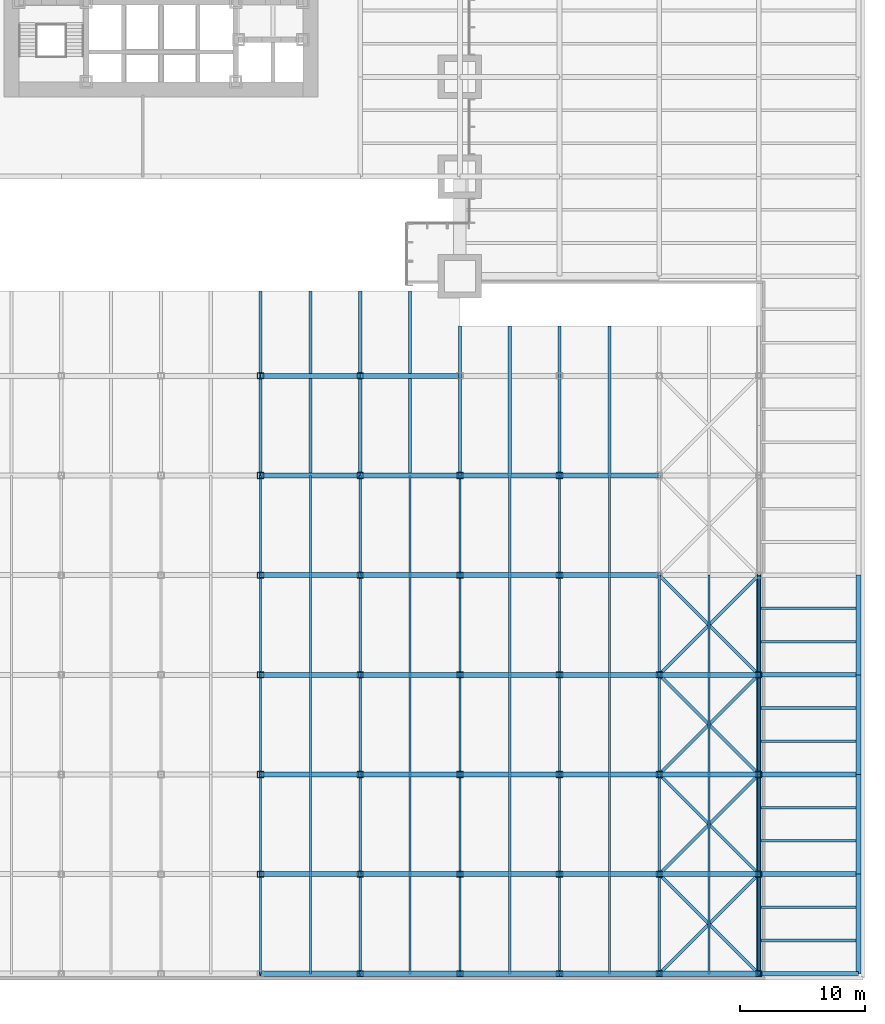
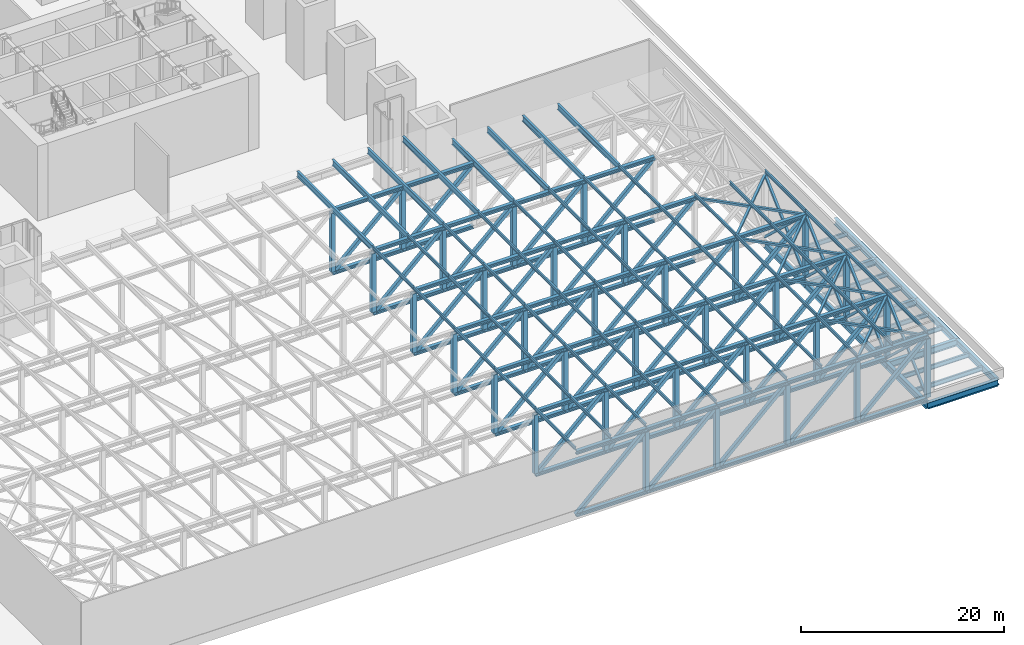
# One storey, part 5 of 20: 199 members, 20 beams.
"""IFC4 building model written with IfcOpenShell, lengths in metres."""

from ifc_helpers import new_model, si_unit, direction, frame, origin, origin_2d, place, context, subcontext, project, spatial, hollow_rectangle, i_section, extrude, material, material_profile, profile_set, type_object, element, save


model = new_model("IFC4")

# Units and contexts
model_context = context("Model", 3, precision=1e-05, world=origin(), true_north=direction((0.0, 1.0)))
body_context = subcontext(model_context, "Body", "Model", "MODEL_VIEW")
ifc_project = project(units=[si_unit("LENGTHUNIT", "METRE"), si_unit("AREAUNIT", "SQUARE_METRE"), si_unit("VOLUMEUNIT", "CUBIC_METRE"), si_unit("PLANEANGLEUNIT", "RADIAN"), si_unit("MASSUNIT", "GRAM", prefix="KILO")], contexts=[model_context])

# Site, building, storey
site_placement = place(None, origin())
site = spatial("IfcSite", under=ifc_project, at=site_placement, CompositionType="ELEMENT")
building_placement = place(site_placement, origin())
building = spatial("IfcBuilding", under=site, at=building_placement, Name="Daluyong Arena Tower", CompositionType="ELEMENT")
storey_placement = place(building_placement, frame((0.0, 0.0, 25.89990234375)))
storey = spatial("IfcBuildingStorey", under=building, at=storey_placement, Name="L05", CompositionType="ELEMENT", Elevation=25.89990234375)

# Beams
ifc_material_1 = material(Name="Steel ASTM A992 Grade 50", Category="steel")
ifc_material_profile_1 = material_profile(ifc_material_1, i_section(OverallWidth=0.209228515625, OverallDepth=0.533447265625, WebThickness=0.01025390625, FlangeThickness=0.015625, at=origin_2d()))
ifc_profile_set_1 = profile_set([ifc_material_profile_1], Name="Steel ASTM A992 Grade 50")
beam_type_1 = type_object("IfcBeamType", Name="Podium floor beam W21X62", PredefinedType="BEAM", material=ifc_profile_set_1)
for number, where, z_axis, x_axis, name in (
    (1, (104.1904296875, 2.666748046875, -0.5166015625), (1.0, 0.0, 0.0), (0.0, 1.0, 0.0), "podium floor beam PB1"),
    (2, (104.1904296875, 5.333251953125, -0.5166015625), (1.0, 0.0, 0.0), (0.0, 1.0, 0.0), "podium floor beam PB1"),
    (3, (104.1904296875, 10.666748046875, -0.5166015625), (1.0, 0.0, 0.0), (0.0, 1.0, 0.0), "podium floor beam PB1"),
    (4, (104.1904296875, 13.333251953125, -0.5166015625), (1.0, 0.0, 0.0), (0.0, 1.0, 0.0), "podium floor beam PB1"),
    (5, (104.1904296875, 18.666748046875, -0.5166015625), (1.0, 0.0, 0.0), (0.0, 1.0, 0.0), "podium floor beam PB1"),
    (6, (104.1904296875, 21.333251953125, -0.5166015625), (1.0, 0.0, 0.0), (0.0, 1.0, 0.0), "podium floor beam PB1"),
    (7, (104.1904296875, 26.666748046875, -0.5166015625), (1.0, 0.0, 0.0), (0.0, 1.0, 0.0), "podium floor beam PB1"),
    (8, (104.1904296875, 29.333251953125, -0.5166015625), (1.0, 0.0, 0.0), (0.0, 1.0, 0.0), "podium floor beam PB1"),
):
    element("IfcBeam", number, at=place(storey_placement, frame(where, z_axis=z_axis, x_axis=x_axis)), inside=storey, type_object=beam_type_1, Name=name, PredefinedType="BEAM", context=body_context, shape_type="SweptSolid", body=[
        extrude(i_section(OverallWidth=0.209228515625, OverallDepth=0.533447265625, WebThickness=0.01025390625, FlangeThickness=0.015625, at=origin_2d()), origin(), (0.0, 0.0, 1.0), 7.619140625),
    ])
ifc_material_2 = material(Name="Steel ASTM A992 Grade 50", Category="steel")
ifc_material_profile_2 = material_profile(ifc_material_2, i_section(OverallWidth=0.381103515625, OverallDepth=0.772216796875, WebThickness=0.0166015625, FlangeThickness=0.027099609375, at=origin_2d()))
ifc_profile_set_2 = profile_set([ifc_material_profile_2], Name="Steel ASTM A992 Grade 50")
beam_type_2 = type_object("IfcBeamType", Name="Podium girder W30X173", PredefinedType="BEAM", material=ifc_profile_set_2)
for number, where, z_axis, x_axis, name in (
    (9, (104.0, 0.0, -0.635986328125), (1.0, 0.0, 0.0), (0.0, 1.0, 0.0), "podium girder PG1"),
    (10, (104.0, 0.0, -0.635986328125), (0.0, 1.0, 0.0), (-1.0, 0.0, 0.0), "podium girder PG1"),
    (11, (104.0, 8.0, -0.635986328125), (1.0, 0.0, 0.0), (0.0, 1.0, 0.0), "podium girder PG1"),
    (12, (104.0, 8.0, -0.635986328125), (0.0, 1.0, 0.0), (-1.0, 0.0, 0.0), "podium girder PG1"),
    (13, (104.0, 16.0, -0.635986328125), (1.0, 0.0, 0.0), (0.0, 1.0, 0.0), "podium girder PG1"),
    (14, (104.0, 16.0, -0.635986328125), (0.0, 1.0, 0.0), (-1.0, 0.0, 0.0), "podium girder PG1"),
    (15, (104.0, 24.0, -0.635986328125), (1.0, 0.0, 0.0), (0.0, 1.0, 0.0), "podium girder PG1"),
    (16, (104.0, 24.0, -0.635986328125), (0.0, 1.0, 0.0), (-1.0, 0.0, 0.0), "podium girder PG1"),
    (17, (112.0, 0.0, -0.635986328125), (0.0, 1.0, 0.0), (-1.0, 0.0, 0.0), "podium girder PG1"),
    (18, (112.0, 8.0, -0.635986328125), (0.0, 1.0, 0.0), (-1.0, 0.0, 0.0), "podium girder PG1"),
    (19, (112.0, 16.0, -0.635986328125), (0.0, 1.0, 0.0), (-1.0, 0.0, 0.0), "podium girder PG1"),
    (20, (112.0, 24.0, -0.635986328125), (0.0, 1.0, 0.0), (-1.0, 0.0, 0.0), "podium girder PG1"),
):
    element("IfcBeam", number, at=place(storey_placement, frame(where, z_axis=z_axis, x_axis=x_axis)), inside=storey, type_object=beam_type_2, Name=name, PredefinedType="BEAM", context=body_context, shape_type="SweptSolid", body=[
        extrude(i_section(OverallWidth=0.381103515625, OverallDepth=0.772216796875, WebThickness=0.0166015625, FlangeThickness=0.027099609375, at=origin_2d()), origin(), (0.0, 0.0, 1.0), 8.0),
    ])

# Members
ifc_material_3 = material(Name="Steel ASTM A1085", Category="steel")
ifc_material_profile_3 = material_profile(ifc_material_3, hollow_rectangle(XDim=0.25390625, YDim=0.25390625, WallThickness=0.0126953125, at=origin_2d()))
ifc_profile_set_3 = profile_set([ifc_material_profile_3], Name="Steel ASTM A1085")
member_type_1 = type_object("IfcMemberType", Name="Roof plan bracing HSS10X10X1/2", PredefinedType="BRACE", material=ifc_profile_set_3)
for number, where, z_axis, x_axis, name in (
    (21, (96.0, 0.0, 7.71728515625), (0.707106781187, 0.707106781187, 0.0), (-0.707106781187, 0.707106781187, 0.0), "roof plan bracing RX2"),
    (22, (104.0, 0.0, 7.71728515625), (-0.707106781187, 0.707106781187, 0.0), (-0.707106781187, -0.707106781187, 0.0), "roof plan bracing RX2"),
    (23, (96.0, 8.0, 7.71728515625), (0.707106781187, 0.707106781187, 0.0), (-0.707106781187, 0.707106781187, 0.0), "roof plan bracing RX2"),
    (24, (104.0, 8.0, 7.71728515625), (-0.707106781187, 0.707106781187, 0.0), (-0.707106781187, -0.707106781187, 0.0), "roof plan bracing RX2"),
    (25, (96.0, 16.0, 7.71728515625), (0.707106781187, 0.707106781187, 0.0), (-0.707106781187, 0.707106781187, 0.0), "roof plan bracing RX2"),
    (26, (104.0, 16.0, 7.71728515625), (-0.707106781187, 0.707106781187, 0.0), (-0.707106781187, -0.707106781187, 0.0), "roof plan bracing RX2"),
    (27, (96.0, 24.0, 7.71728515625), (0.707106781187, 0.707106781187, 0.0), (-0.707106781187, 0.707106781187, 0.0), "roof plan bracing RX2"),
    (28, (104.0, 24.0, 7.71728515625), (-0.707106781187, 0.707106781187, 0.0), (-0.707106781187, -0.707106781187, 0.0), "roof plan bracing RX2"),
):
    element("IfcMember", number, at=place(storey_placement, frame(where, z_axis=z_axis, x_axis=x_axis)), inside=storey, type_object=member_type_1, Name=name, PredefinedType="BRACE", context=body_context, shape_type="SweptSolid", body=[
        extrude(hollow_rectangle(XDim=0.25390625, YDim=0.25390625, WallThickness=0.0126953125, at=origin_2d()), origin(), (0.0, 0.0, 1.0), 11.313720703125),
    ])
ifc_material_4 = material(Name="Steel ASTM A992 Grade 50", Category="steel")
ifc_material_profile_4 = material_profile(ifc_material_4, i_section(OverallWidth=0.177734375, OverallDepth=0.406494140625, WebThickness=0.0078125, FlangeThickness=0.012939453125, at=origin_2d()))
ifc_profile_set_4 = profile_set([ifc_material_profile_4], Name="Steel ASTM A992 Grade 50")
member_type_2 = type_object("IfcMemberType", Name="Roof purlin W16X40", PredefinedType="PURLIN", material=ifc_profile_set_4)
for number, where, z_axis, x_axis, name in (
    (29, (64.0, 0.0, 8.1376953125), (0.0, 1.0, 0.0), (-1.0, 0.0, 0.0), "roof purlin RP1"),
    (30, (68.0, 0.0, 8.1376953125), (0.0, 1.0, 0.0), (-1.0, 0.0, 0.0), "roof purlin RP1"),
    (31, (72.0, 0.0, 8.1376953125), (0.0, 1.0, 0.0), (-1.0, 0.0, 0.0), "roof purlin RP1"),
    (32, (76.0, 0.0, 8.1376953125), (0.0, 1.0, 0.0), (-1.0, 0.0, 0.0), "roof purlin RP1"),
    (33, (80.0, 0.0, 8.1376953125), (0.0, 1.0, 0.0), (-1.0, 0.0, 0.0), "roof purlin RP1"),
    (34, (84.0, 0.0, 8.1376953125), (0.0, 1.0, 0.0), (-1.0, 0.0, 0.0), "roof purlin RP1"),
    (35, (88.0, 0.0, 8.1376953125), (0.0, 1.0, 0.0), (-1.0, 0.0, 0.0), "roof purlin RP1"),
    (36, (92.0, 0.0, 8.1376953125), (0.0, 1.0, 0.0), (-1.0, 0.0, 0.0), "roof purlin RP1"),
    (37, (96.0, 0.0, 8.1376953125), (0.0, 1.0, 0.0), (-1.0, 0.0, 0.0), "roof purlin RP1"),
    (38, (100.0, 0.0, 8.1376953125), (0.0, 1.0, 0.0), (-1.0, 0.0, 0.0), "roof purlin RP1"),
    (39, (104.0, 0.0, 8.1376953125), (0.0, 1.0, 0.0), (-1.0, 0.0, 0.0), "roof purlin RP1"),
    (40, (64.0, 8.0, 8.1376953125), (0.0, 1.0, 0.0), (-1.0, 0.0, 0.0), "roof purlin RP1"),
    (41, (68.0, 8.0, 8.1376953125), (0.0, 1.0, 0.0), (-1.0, 0.0, 0.0), "roof purlin RP1"),
    (42, (72.0, 8.0, 8.1376953125), (0.0, 1.0, 0.0), (-1.0, 0.0, 0.0), "roof purlin RP1"),
    (43, (76.0, 8.0, 8.1376953125), (0.0, 1.0, 0.0), (-1.0, 0.0, 0.0), "roof purlin RP1"),
    (44, (80.0, 8.0, 8.1376953125), (0.0, 1.0, 0.0), (-1.0, 0.0, 0.0), "roof purlin RP1"),
    (45, (84.0, 8.0, 8.1376953125), (0.0, 1.0, 0.0), (-1.0, 0.0, 0.0), "roof purlin RP1"),
    (46, (88.0, 8.0, 8.1376953125), (0.0, 1.0, 0.0), (-1.0, 0.0, 0.0), "roof purlin RP1"),
    (47, (92.0, 8.0, 8.1376953125), (0.0, 1.0, 0.0), (-1.0, 0.0, 0.0), "roof purlin RP1"),
    (48, (96.0, 8.0, 8.1376953125), (0.0, 1.0, 0.0), (-1.0, 0.0, 0.0), "roof purlin RP1"),
    (49, (100.0, 8.0, 8.1376953125), (0.0, 1.0, 0.0), (-1.0, 0.0, 0.0), "roof purlin RP1"),
    (50, (104.0, 8.0, 8.1376953125), (0.0, 1.0, 0.0), (-1.0, 0.0, 0.0), "roof purlin RP1"),
    (51, (64.0, 16.0, 8.1376953125), (0.0, 1.0, 0.0), (-1.0, 0.0, 0.0), "roof purlin RP1"),
    (52, (68.0, 16.0, 8.1376953125), (0.0, 1.0, 0.0), (-1.0, 0.0, 0.0), "roof purlin RP1"),
    (53, (72.0, 16.0, 8.1376953125), (0.0, 1.0, 0.0), (-1.0, 0.0, 0.0), "roof purlin RP1"),
    (54, (76.0, 16.0, 8.1376953125), (0.0, 1.0, 0.0), (-1.0, 0.0, 0.0), "roof purlin RP1"),
    (55, (80.0, 16.0, 8.1376953125), (0.0, 1.0, 0.0), (-1.0, 0.0, 0.0), "roof purlin RP1"),
    (56, (84.0, 16.0, 8.1376953125), (0.0, 1.0, 0.0), (-1.0, 0.0, 0.0), "roof purlin RP1"),
    (57, (88.0, 16.0, 8.1376953125), (0.0, 1.0, 0.0), (-1.0, 0.0, 0.0), "roof purlin RP1"),
    (58, (92.0, 16.0, 8.1376953125), (0.0, 1.0, 0.0), (-1.0, 0.0, 0.0), "roof purlin RP1"),
    (59, (96.0, 16.0, 8.1376953125), (0.0, 1.0, 0.0), (-1.0, 0.0, 0.0), "roof purlin RP1"),
    (60, (100.0, 16.0, 8.1376953125), (0.0, 1.0, 0.0), (-1.0, 0.0, 0.0), "roof purlin RP1"),
    (61, (104.0, 16.0, 8.1376953125), (0.0, 1.0, 0.0), (-1.0, 0.0, 0.0), "roof purlin RP1"),
    (62, (64.0, 24.0, 8.1376953125), (0.0, 1.0, 0.0), (-1.0, 0.0, 0.0), "roof purlin RP1"),
    (63, (68.0, 24.0, 8.1376953125), (0.0, 1.0, 0.0), (-1.0, 0.0, 0.0), "roof purlin RP1"),
    (64, (72.0, 24.0, 8.1376953125), (0.0, 1.0, 0.0), (-1.0, 0.0, 0.0), "roof purlin RP1"),
    (65, (76.0, 24.0, 8.1376953125), (0.0, 1.0, 0.0), (-1.0, 0.0, 0.0), "roof purlin RP1"),
    (66, (80.0, 24.0, 8.1376953125), (0.0, 1.0, 0.0), (-1.0, 0.0, 0.0), "roof purlin RP1"),
    (67, (84.0, 24.0, 8.1376953125), (0.0, 1.0, 0.0), (-1.0, 0.0, 0.0), "roof purlin RP1"),
    (68, (88.0, 24.0, 8.1376953125), (0.0, 1.0, 0.0), (-1.0, 0.0, 0.0), "roof purlin RP1"),
    (69, (92.0, 24.0, 8.1376953125), (0.0, 1.0, 0.0), (-1.0, 0.0, 0.0), "roof purlin RP1"),
    (70, (96.0, 24.0, 8.1376953125), (0.0, 1.0, 0.0), (-1.0, 0.0, 0.0), "roof purlin RP1"),
    (71, (100.0, 24.0, 8.1376953125), (0.0, 1.0, 0.0), (-1.0, 0.0, 0.0), "roof purlin RP1"),
    (72, (104.0, 24.0, 8.1376953125), (0.0, 1.0, 0.0), (-1.0, 0.0, 0.0), "roof purlin RP1"),
    (73, (64.0, 32.0, 8.1376953125), (0.0, 1.0, 0.0), (-1.0, 0.0, 0.0), "roof purlin RP1"),
    (74, (68.0, 32.0, 8.1376953125), (0.0, 1.0, 0.0), (-1.0, 0.0, 0.0), "roof purlin RP1"),
    (75, (72.0, 32.0, 8.1376953125), (0.0, 1.0, 0.0), (-1.0, 0.0, 0.0), "roof purlin RP1"),
    (76, (76.0, 32.0, 8.1376953125), (0.0, 1.0, 0.0), (-1.0, 0.0, 0.0), "roof purlin RP1"),
    (77, (80.0, 32.0, 8.1376953125), (0.0, 1.0, 0.0), (-1.0, 0.0, 0.0), "roof purlin RP1"),
    (78, (84.0, 32.0, 8.1376953125), (0.0, 1.0, 0.0), (-1.0, 0.0, 0.0), "roof purlin RP1"),
    (79, (88.0, 32.0, 8.1376953125), (0.0, 1.0, 0.0), (-1.0, 0.0, 0.0), "roof purlin RP1"),
    (80, (92.0, 32.0, 8.1376953125), (0.0, 1.0, 0.0), (-1.0, 0.0, 0.0), "roof purlin RP1"),
):
    element("IfcMember", number, at=place(storey_placement, frame(where, z_axis=z_axis, x_axis=x_axis)), inside=storey, type_object=member_type_2, Name=name, PredefinedType="PURLIN", context=body_context, shape_type="SweptSolid", body=[
        extrude(i_section(OverallWidth=0.177734375, OverallDepth=0.406494140625, WebThickness=0.0078125, FlangeThickness=0.012939453125, at=origin_2d()), origin(), (0.0, 0.0, 1.0), 8.0),
    ])
ifc_material_5 = material(Name="Steel ASTM A992 Grade 50", Category="steel")
ifc_material_profile_5 = material_profile(ifc_material_5, i_section(OverallWidth=0.25390625, OverallDepth=0.683349609375, WebThickness=0.012451171875, FlangeThickness=0.01904296875, at=origin_2d()))
ifc_profile_set_5 = profile_set([ifc_material_profile_5], Name="Steel ASTM A992 Grade 50")
member_type_3 = type_object("IfcMemberType", Name="Roof purlin W27X94", PredefinedType="PURLIN", material=ifc_profile_set_5)
for number, where, z_axis, x_axis, name in (
    (81, (64.0, 40.0, 7.999267578125), (0.0, 1.0, 0.0), (-1.0, 0.0, 0.0), "roof purlin RP2"),
    (82, (68.0, 40.0, 7.999267578125), (0.0, 1.0, 0.0), (-1.0, 0.0, 0.0), "roof purlin RP2"),
    (83, (72.0, 40.0, 7.999267578125), (0.0, 1.0, 0.0), (-1.0, 0.0, 0.0), "roof purlin RP2"),
    (84, (76.0, 40.0, 7.999267578125), (0.0, 1.0, 0.0), (-1.0, 0.0, 0.0), "roof purlin RP2"),
):
    element("IfcMember", number, at=place(storey_placement, frame(where, z_axis=z_axis, x_axis=x_axis)), inside=storey, type_object=member_type_3, Name=name, PredefinedType="PURLIN", context=body_context, shape_type="SweptSolid", body=[
        extrude(i_section(OverallWidth=0.25390625, OverallDepth=0.683349609375, WebThickness=0.012451171875, FlangeThickness=0.01904296875, at=origin_2d()), origin(), (0.0, 0.0, 1.0), 14.800048828125),
    ])
for number, where, z_axis, x_axis, name in (
    (85, (80.0, 40.0, 7.999267578125), (0.0, 1.0, 0.0), (-1.0, 0.0, 0.0), "roof purlin RP2"),
    (86, (84.0, 40.0, 7.999267578125), (0.0, 1.0, 0.0), (-1.0, 0.0, 0.0), "roof purlin RP2"),
    (87, (88.0, 40.0, 7.999267578125), (0.0, 1.0, 0.0), (-1.0, 0.0, 0.0), "roof purlin RP2"),
    (88, (92.0, 40.0, 7.999267578125), (0.0, 1.0, 0.0), (-1.0, 0.0, 0.0), "roof purlin RP2"),
):
    element("IfcMember", number, at=place(storey_placement, frame(where, z_axis=z_axis, x_axis=x_axis)), inside=storey, type_object=member_type_3, Name=name, PredefinedType="PURLIN", context=body_context, shape_type="SweptSolid", body=[
        extrude(i_section(OverallWidth=0.25390625, OverallDepth=0.683349609375, WebThickness=0.012451171875, FlangeThickness=0.01904296875, at=origin_2d()), origin(), (0.0, 0.0, 1.0), 12.0),
    ])
ifc_material_6 = material(Name="Steel ASTM A992 Grade 50", Category="steel")
ifc_material_profile_6 = material_profile(ifc_material_6, i_section(OverallWidth=0.411376953125, OverallDepth=0.434326171875, WebThickness=0.035888671875, FlangeThickness=0.057373046875, at=origin_2d()))
ifc_profile_set_6 = profile_set([ifc_material_profile_6], Name="Steel ASTM A992 Grade 50")
member_type_4 = type_object("IfcMemberType", Name="Roof truss chord W14X311", PredefinedType="CHORD", material=ifc_profile_set_6)
for number, where, z_axis, x_axis, name in (
    (89, (64.0, 0.0, 0.21728515625), (1.0, 0.0, 0.0), (0.0, 1.0, 0.0), "roof truss chord RT1"),
    (90, (72.0, 0.0, 0.21728515625), (1.0, 0.0, 0.0), (0.0, 1.0, 0.0), "roof truss chord RT1"),
    (91, (80.0, 0.0, 0.21728515625), (1.0, 0.0, 0.0), (0.0, 1.0, 0.0), "roof truss chord RT1"),
    (92, (88.0, 0.0, 0.21728515625), (1.0, 0.0, 0.0), (0.0, 1.0, 0.0), "roof truss chord RT1"),
    (93, (96.0, 0.0, 0.21728515625), (1.0, 0.0, 0.0), (0.0, 1.0, 0.0), "roof truss chord RT1"),
    (94, (64.0, 0.0, 7.71728515625), (1.0, 0.0, 0.0), (0.0, 1.0, 0.0), "roof truss chord RT1"),
    (95, (72.0, 0.0, 7.71728515625), (1.0, 0.0, 0.0), (0.0, 1.0, 0.0), "roof truss chord RT1"),
    (96, (80.0, 0.0, 7.71728515625), (1.0, 0.0, 0.0), (0.0, 1.0, 0.0), "roof truss chord RT1"),
    (97, (88.0, 0.0, 7.71728515625), (1.0, 0.0, 0.0), (0.0, 1.0, 0.0), "roof truss chord RT1"),
    (98, (96.0, 0.0, 7.71728515625), (1.0, 0.0, 0.0), (0.0, 1.0, 0.0), "roof truss chord RT1"),
    (99, (64.0, 8.0, 0.21728515625), (1.0, 0.0, 0.0), (0.0, 1.0, 0.0), "roof truss chord RT1"),
    (100, (72.0, 8.0, 0.21728515625), (1.0, 0.0, 0.0), (0.0, 1.0, 0.0), "roof truss chord RT1"),
    (101, (80.0, 8.0, 0.21728515625), (1.0, 0.0, 0.0), (0.0, 1.0, 0.0), "roof truss chord RT1"),
    (102, (88.0, 8.0, 0.21728515625), (1.0, 0.0, 0.0), (0.0, 1.0, 0.0), "roof truss chord RT1"),
    (103, (96.0, 8.0, 0.21728515625), (1.0, 0.0, 0.0), (0.0, 1.0, 0.0), "roof truss chord RT1"),
    (104, (64.0, 8.0, 7.71728515625), (1.0, 0.0, 0.0), (0.0, 1.0, 0.0), "roof truss chord RT1"),
    (105, (72.0, 8.0, 7.71728515625), (1.0, 0.0, 0.0), (0.0, 1.0, 0.0), "roof truss chord RT1"),
    (106, (80.0, 8.0, 7.71728515625), (1.0, 0.0, 0.0), (0.0, 1.0, 0.0), "roof truss chord RT1"),
    (107, (88.0, 8.0, 7.71728515625), (1.0, 0.0, 0.0), (0.0, 1.0, 0.0), "roof truss chord RT1"),
    (108, (96.0, 8.0, 7.71728515625), (1.0, 0.0, 0.0), (0.0, 1.0, 0.0), "roof truss chord RT1"),
    (109, (64.0, 16.0, 0.21728515625), (1.0, 0.0, 0.0), (0.0, 1.0, 0.0), "roof truss chord RT1"),
    (110, (72.0, 16.0, 0.21728515625), (1.0, 0.0, 0.0), (0.0, 1.0, 0.0), "roof truss chord RT1"),
    (111, (80.0, 16.0, 0.21728515625), (1.0, 0.0, 0.0), (0.0, 1.0, 0.0), "roof truss chord RT1"),
    (112, (88.0, 16.0, 0.21728515625), (1.0, 0.0, 0.0), (0.0, 1.0, 0.0), "roof truss chord RT1"),
    (113, (96.0, 16.0, 0.21728515625), (1.0, 0.0, 0.0), (0.0, 1.0, 0.0), "roof truss chord RT1"),
    (114, (64.0, 16.0, 7.71728515625), (1.0, 0.0, 0.0), (0.0, 1.0, 0.0), "roof truss chord RT1"),
    (115, (72.0, 16.0, 7.71728515625), (1.0, 0.0, 0.0), (0.0, 1.0, 0.0), "roof truss chord RT1"),
    (116, (80.0, 16.0, 7.71728515625), (1.0, 0.0, 0.0), (0.0, 1.0, 0.0), "roof truss chord RT1"),
    (117, (88.0, 16.0, 7.71728515625), (1.0, 0.0, 0.0), (0.0, 1.0, 0.0), "roof truss chord RT1"),
    (118, (96.0, 16.0, 7.71728515625), (1.0, 0.0, 0.0), (0.0, 1.0, 0.0), "roof truss chord RT1"),
    (119, (64.0, 24.0, 0.21728515625), (1.0, 0.0, 0.0), (0.0, 1.0, 0.0), "roof truss chord RT1"),
    (120, (72.0, 24.0, 0.21728515625), (1.0, 0.0, 0.0), (0.0, 1.0, 0.0), "roof truss chord RT1"),
    (121, (80.0, 24.0, 0.21728515625), (1.0, 0.0, 0.0), (0.0, 1.0, 0.0), "roof truss chord RT1"),
    (122, (88.0, 24.0, 0.21728515625), (1.0, 0.0, 0.0), (0.0, 1.0, 0.0), "roof truss chord RT1"),
    (123, (96.0, 24.0, 0.21728515625), (1.0, 0.0, 0.0), (0.0, 1.0, 0.0), "roof truss chord RT1"),
    (124, (64.0, 24.0, 7.71728515625), (1.0, 0.0, 0.0), (0.0, 1.0, 0.0), "roof truss chord RT1"),
    (125, (72.0, 24.0, 7.71728515625), (1.0, 0.0, 0.0), (0.0, 1.0, 0.0), "roof truss chord RT1"),
    (126, (80.0, 24.0, 7.71728515625), (1.0, 0.0, 0.0), (0.0, 1.0, 0.0), "roof truss chord RT1"),
    (127, (88.0, 24.0, 7.71728515625), (1.0, 0.0, 0.0), (0.0, 1.0, 0.0), "roof truss chord RT1"),
    (128, (96.0, 24.0, 7.71728515625), (1.0, 0.0, 0.0), (0.0, 1.0, 0.0), "roof truss chord RT1"),
    (129, (64.0, 32.0, 0.21728515625), (1.0, 0.0, 0.0), (0.0, 1.0, 0.0), "roof truss chord RT1"),
    (130, (72.0, 32.0, 0.21728515625), (1.0, 0.0, 0.0), (0.0, 1.0, 0.0), "roof truss chord RT1"),
    (131, (80.0, 32.0, 0.21728515625), (1.0, 0.0, 0.0), (0.0, 1.0, 0.0), "roof truss chord RT1"),
    (132, (88.0, 32.0, 0.21728515625), (1.0, 0.0, 0.0), (0.0, 1.0, 0.0), "roof truss chord RT1"),
    (133, (64.0, 32.0, 7.71728515625), (1.0, 0.0, 0.0), (0.0, 1.0, 0.0), "roof truss chord RT1"),
    (134, (72.0, 32.0, 7.71728515625), (1.0, 0.0, 0.0), (0.0, 1.0, 0.0), "roof truss chord RT1"),
    (135, (80.0, 32.0, 7.71728515625), (1.0, 0.0, 0.0), (0.0, 1.0, 0.0), "roof truss chord RT1"),
    (136, (88.0, 32.0, 7.71728515625), (1.0, 0.0, 0.0), (0.0, 1.0, 0.0), "roof truss chord RT1"),
    (137, (64.0, 40.0, 0.21728515625), (1.0, 0.0, 0.0), (0.0, 1.0, 0.0), "roof truss chord RT1"),
    (138, (72.0, 40.0, 0.21728515625), (1.0, 0.0, 0.0), (0.0, 1.0, 0.0), "roof truss chord RT1"),
    (139, (80.0, 40.0, 0.21728515625), (1.0, 0.0, 0.0), (0.0, 1.0, 0.0), "roof truss chord RT1"),
    (140, (88.0, 40.0, 0.21728515625), (1.0, 0.0, 0.0), (0.0, 1.0, 0.0), "roof truss chord RT1"),
    (141, (64.0, 40.0, 7.71728515625), (1.0, 0.0, 0.0), (0.0, 1.0, 0.0), "roof truss chord RT1"),
    (142, (72.0, 40.0, 7.71728515625), (1.0, 0.0, 0.0), (0.0, 1.0, 0.0), "roof truss chord RT1"),
    (143, (80.0, 40.0, 7.71728515625), (1.0, 0.0, 0.0), (0.0, 1.0, 0.0), "roof truss chord RT1"),
    (144, (88.0, 40.0, 7.71728515625), (1.0, 0.0, 0.0), (0.0, 1.0, 0.0), "roof truss chord RT1"),
    (145, (64.0, 48.0, 0.21728515625), (1.0, 0.0, 0.0), (0.0, 1.0, 0.0), "roof truss chord RT1"),
    (146, (72.0, 48.0, 0.21728515625), (1.0, 0.0, 0.0), (0.0, 1.0, 0.0), "roof truss chord RT1"),
    (147, (64.0, 48.0, 7.71728515625), (1.0, 0.0, 0.0), (0.0, 1.0, 0.0), "roof truss chord RT1"),
    (148, (72.0, 48.0, 7.71728515625), (1.0, 0.0, 0.0), (0.0, 1.0, 0.0), "roof truss chord RT1"),
):
    element("IfcMember", number, at=place(storey_placement, frame(where, z_axis=z_axis, x_axis=x_axis)), inside=storey, type_object=member_type_4, Name=name, PredefinedType="CHORD", context=body_context, shape_type="SweptSolid", body=[
        extrude(i_section(OverallWidth=0.411376953125, OverallDepth=0.434326171875, WebThickness=0.035888671875, FlangeThickness=0.057373046875, at=origin_2d()), origin(), (0.0, 0.0, 1.0), 8.0),
    ])
ifc_material_7 = material(Name="Steel ASTM A1085", Category="steel")
ifc_material_profile_7 = material_profile(ifc_material_7, hollow_rectangle(XDim=0.406494140625, YDim=0.406494140625, WallThickness=0.015869140625, at=origin_2d()))
ifc_profile_set_7 = profile_set([ifc_material_profile_7], Name="Steel ASTM A1085")
member_type_5 = type_object("IfcMemberType", Name="Roof truss diagonal HSS16X16X5/8", PredefinedType="BRACE", material=ifc_profile_set_7)
for number, where, z_axis, x_axis, name in (
    (149, (64.0, 0.0, 0.21728515625), (0.72953720414, 0.0, 0.683941128881), (0.0, 1.0, 0.0), "roof truss diagonal RD1"),
    (150, (72.0, 0.0, 0.21728515625), (0.72953720414, 0.0, 0.683941128881), (0.0, 1.0, 0.0), "roof truss diagonal RD1"),
    (151, (80.0, 0.0, 0.21728515625), (0.72953720414, 0.0, 0.683941128881), (0.0, 1.0, 0.0), "roof truss diagonal RD1"),
    (152, (88.0, 0.0, 0.21728515625), (0.72953720414, 0.0, 0.683941128881), (0.0, 1.0, 0.0), "roof truss diagonal RD1"),
    (153, (96.0, 0.0, 0.21728515625), (0.72953720414, 0.0, 0.683941128881), (0.0, 1.0, 0.0), "roof truss diagonal RD1"),
    (154, (64.0, 8.0, 0.21728515625), (0.72953720414, 0.0, 0.683941128881), (0.0, 1.0, 0.0), "roof truss diagonal RD1"),
    (155, (72.0, 8.0, 0.21728515625), (0.72953720414, 0.0, 0.683941128881), (0.0, 1.0, 0.0), "roof truss diagonal RD1"),
    (156, (80.0, 8.0, 0.21728515625), (0.72953720414, 0.0, 0.683941128881), (0.0, 1.0, 0.0), "roof truss diagonal RD1"),
    (157, (88.0, 8.0, 0.21728515625), (0.72953720414, 0.0, 0.683941128881), (0.0, 1.0, 0.0), "roof truss diagonal RD1"),
    (158, (96.0, 8.0, 0.21728515625), (0.72953720414, 0.0, 0.683941128881), (0.0, 1.0, 0.0), "roof truss diagonal RD1"),
    (159, (64.0, 16.0, 0.21728515625), (0.72953720414, 0.0, 0.683941128881), (0.0, 1.0, 0.0), "roof truss diagonal RD1"),
    (160, (72.0, 16.0, 0.21728515625), (0.72953720414, 0.0, 0.683941128881), (0.0, 1.0, 0.0), "roof truss diagonal RD1"),
    (161, (80.0, 16.0, 0.21728515625), (0.72953720414, 0.0, 0.683941128881), (0.0, 1.0, 0.0), "roof truss diagonal RD1"),
    (162, (88.0, 16.0, 0.21728515625), (0.72953720414, 0.0, 0.683941128881), (0.0, 1.0, 0.0), "roof truss diagonal RD1"),
    (163, (96.0, 16.0, 0.21728515625), (0.72953720414, 0.0, 0.683941128881), (0.0, 1.0, 0.0), "roof truss diagonal RD1"),
    (164, (64.0, 24.0, 0.21728515625), (0.72953720414, 0.0, 0.683941128881), (0.0, 1.0, 0.0), "roof truss diagonal RD1"),
    (165, (72.0, 24.0, 0.21728515625), (0.72953720414, 0.0, 0.683941128881), (0.0, 1.0, 0.0), "roof truss diagonal RD1"),
    (166, (80.0, 24.0, 0.21728515625), (0.72953720414, 0.0, 0.683941128881), (0.0, 1.0, 0.0), "roof truss diagonal RD1"),
    (167, (88.0, 24.0, 0.21728515625), (0.72953720414, 0.0, 0.683941128881), (0.0, 1.0, 0.0), "roof truss diagonal RD1"),
    (168, (96.0, 24.0, 0.21728515625), (0.72953720414, 0.0, 0.683941128881), (0.0, 1.0, 0.0), "roof truss diagonal RD1"),
    (169, (64.0, 32.0, 0.21728515625), (0.72953720414, 0.0, 0.683941128881), (0.0, 1.0, 0.0), "roof truss diagonal RD1"),
    (170, (72.0, 32.0, 0.21728515625), (0.72953720414, 0.0, 0.683941128881), (0.0, 1.0, 0.0), "roof truss diagonal RD1"),
    (171, (80.0, 32.0, 0.21728515625), (0.72953720414, 0.0, 0.683941128881), (0.0, 1.0, 0.0), "roof truss diagonal RD1"),
    (172, (88.0, 32.0, 0.21728515625), (0.72953720414, 0.0, 0.683941128881), (0.0, 1.0, 0.0), "roof truss diagonal RD1"),
    (173, (64.0, 40.0, 0.21728515625), (0.72953720414, 0.0, 0.683941128881), (0.0, 1.0, 0.0), "roof truss diagonal RD1"),
    (174, (72.0, 40.0, 0.21728515625), (0.72953720414, 0.0, 0.683941128881), (0.0, 1.0, 0.0), "roof truss diagonal RD1"),
    (175, (80.0, 40.0, 0.21728515625), (0.72953720414, 0.0, 0.683941128881), (0.0, 1.0, 0.0), "roof truss diagonal RD1"),
    (176, (88.0, 40.0, 0.21728515625), (0.72953720414, 0.0, 0.683941128881), (0.0, 1.0, 0.0), "roof truss diagonal RD1"),
    (177, (64.0, 48.0, 0.21728515625), (0.72953720414, 0.0, 0.683941128881), (0.0, 1.0, 0.0), "roof truss diagonal RD1"),
    (178, (72.0, 48.0, 0.21728515625), (0.72953720414, 0.0, 0.683941128881), (0.0, 1.0, 0.0), "roof truss diagonal RD1"),
):
    element("IfcMember", number, at=place(storey_placement, frame(where, z_axis=z_axis, x_axis=x_axis)), inside=storey, type_object=member_type_5, Name=name, PredefinedType="BRACE", context=body_context, shape_type="SweptSolid", body=[
        extrude(hollow_rectangle(XDim=0.406494140625, YDim=0.406494140625, WallThickness=0.015869140625, at=origin_2d()), origin(), (0.0, 0.0, 1.0), 10.9658203125),
    ])
ifc_material_8 = material(Name="Steel ASTM A572 Grade 50", Category="steel")
ifc_material_profile_8 = material_profile(ifc_material_8, hollow_rectangle(XDim=0.5, YDim=0.5, WallThickness=0.04, at=origin_2d()))
ifc_profile_set_8 = profile_set([ifc_material_profile_8], Name="Steel ASTM A572 Grade 50")
member_type_6 = type_object("IfcMemberType", Name="Roof truss post BX500X40", PredefinedType="POST", material=ifc_profile_set_8)
for number, where, z_axis, x_axis, name in (
    (179, (72.0, 0.0, 0.434326171875), (0.0, 0.0, 1.0), (1.0, 0.0, 0.0), "roof truss post RV1"),
    (180, (80.0, 0.0, 0.434326171875), (0.0, 0.0, 1.0), (1.0, 0.0, 0.0), "roof truss post RV1"),
    (181, (88.0, 0.0, 0.434326171875), (0.0, 0.0, 1.0), (1.0, 0.0, 0.0), "roof truss post RV1"),
    (182, (96.0, 0.0, 0.434326171875), (0.0, 0.0, 1.0), (1.0, 0.0, 0.0), "roof truss post RV1"),
    (183, (104.0, 0.0, 0.434326171875), (0.0, 0.0, 1.0), (1.0, 0.0, 0.0), "roof truss post RV1"),
    (184, (64.0, 8.0, 0.434326171875), (0.0, 0.0, 1.0), (1.0, 0.0, 0.0), "roof truss post RV1"),
    (185, (72.0, 8.0, 0.434326171875), (0.0, 0.0, 1.0), (1.0, 0.0, 0.0), "roof truss post RV1"),
    (186, (80.0, 8.0, 0.434326171875), (0.0, 0.0, 1.0), (1.0, 0.0, 0.0), "roof truss post RV1"),
    (187, (88.0, 8.0, 0.434326171875), (0.0, 0.0, 1.0), (1.0, 0.0, 0.0), "roof truss post RV1"),
    (188, (96.0, 8.0, 0.434326171875), (0.0, 0.0, 1.0), (1.0, 0.0, 0.0), "roof truss post RV1"),
    (189, (104.0, 8.0, 0.434326171875), (0.0, 0.0, 1.0), (1.0, 0.0, 0.0), "roof truss post RV1"),
    (190, (64.0, 16.0, 0.434326171875), (0.0, 0.0, 1.0), (1.0, 0.0, 0.0), "roof truss post RV1"),
    (191, (72.0, 16.0, 0.434326171875), (0.0, 0.0, 1.0), (1.0, 0.0, 0.0), "roof truss post RV1"),
    (192, (80.0, 16.0, 0.434326171875), (0.0, 0.0, 1.0), (1.0, 0.0, 0.0), "roof truss post RV1"),
    (193, (88.0, 16.0, 0.434326171875), (0.0, 0.0, 1.0), (1.0, 0.0, 0.0), "roof truss post RV1"),
    (194, (96.0, 16.0, 0.434326171875), (0.0, 0.0, 1.0), (1.0, 0.0, 0.0), "roof truss post RV1"),
    (195, (104.0, 16.0, 0.434326171875), (0.0, 0.0, 1.0), (1.0, 0.0, 0.0), "roof truss post RV1"),
    (196, (64.0, 24.0, 0.434326171875), (0.0, 0.0, 1.0), (1.0, 0.0, 0.0), "roof truss post RV1"),
    (197, (72.0, 24.0, 0.434326171875), (0.0, 0.0, 1.0), (1.0, 0.0, 0.0), "roof truss post RV1"),
    (198, (80.0, 24.0, 0.434326171875), (0.0, 0.0, 1.0), (1.0, 0.0, 0.0), "roof truss post RV1"),
    (199, (88.0, 24.0, 0.434326171875), (0.0, 0.0, 1.0), (1.0, 0.0, 0.0), "roof truss post RV1"),
    (200, (96.0, 24.0, 0.434326171875), (0.0, 0.0, 1.0), (1.0, 0.0, 0.0), "roof truss post RV1"),
    (201, (104.0, 24.0, 0.434326171875), (0.0, 0.0, 1.0), (1.0, 0.0, 0.0), "roof truss post RV1"),
    (202, (64.0, 32.0, 0.434326171875), (0.0, 0.0, 1.0), (1.0, 0.0, 0.0), "roof truss post RV1"),
    (203, (72.0, 32.0, 0.434326171875), (0.0, 0.0, 1.0), (1.0, 0.0, 0.0), "roof truss post RV1"),
    (204, (80.0, 32.0, 0.434326171875), (0.0, 0.0, 1.0), (1.0, 0.0, 0.0), "roof truss post RV1"),
    (205, (88.0, 32.0, 0.434326171875), (0.0, 0.0, 1.0), (1.0, 0.0, 0.0), "roof truss post RV1"),
    (206, (64.0, 40.0, 0.434326171875), (0.0, 0.0, 1.0), (1.0, 0.0, 0.0), "roof truss post RV1"),
    (207, (72.0, 40.0, 0.434326171875), (0.0, 0.0, 1.0), (1.0, 0.0, 0.0), "roof truss post RV1"),
    (208, (80.0, 40.0, 0.434326171875), (0.0, 0.0, 1.0), (1.0, 0.0, 0.0), "roof truss post RV1"),
    (209, (88.0, 40.0, 0.434326171875), (0.0, 0.0, 1.0), (1.0, 0.0, 0.0), "roof truss post RV1"),
    (210, (64.0, 48.0, 0.434326171875), (0.0, 0.0, 1.0), (1.0, 0.0, 0.0), "roof truss post RV1"),
    (211, (72.0, 48.0, 0.434326171875), (0.0, 0.0, 1.0), (1.0, 0.0, 0.0), "roof truss post RV1"),
):
    element("IfcMember", number, at=place(storey_placement, frame(where, z_axis=z_axis, x_axis=x_axis)), inside=storey, type_object=member_type_6, Name=name, PredefinedType="POST", context=body_context, shape_type="SweptSolid", body=[
        extrude(hollow_rectangle(XDim=0.5, YDim=0.5, WallThickness=0.04, at=origin_2d()), origin(), (0.0, 0.0, 1.0), 7.065673828125),
    ])
ifc_material_9 = material(Name="Steel ASTM A1085", Category="steel")
ifc_material_profile_9 = material_profile(ifc_material_9, hollow_rectangle(XDim=0.25390625, YDim=0.25390625, WallThickness=0.0126953125, at=origin_2d()))
ifc_profile_set_9 = profile_set([ifc_material_profile_9], Name="Steel ASTM A1085")
member_type_7 = type_object("IfcMemberType", Name="Roof vertical bracing HSS10X10X1/2", PredefinedType="BRACE", material=ifc_profile_set_9)
for number, where, z_axis, x_axis, name in (
    (212, (104.0, 0.0, 0.21728515625), (0.0, 0.72953720414, 0.683941128881), (-1.0, 0.0, 0.0), "roof vertical bracing RX1"),
    (213, (104.0, 0.0, 7.71728515625), (0.0, 0.72953720414, -0.683941128881), (-1.0, 0.0, 0.0), "roof vertical bracing RX1"),
    (214, (104.0, 8.0, 0.21728515625), (0.0, 0.72953720414, 0.683941128881), (-1.0, 0.0, 0.0), "roof vertical bracing RX1"),
    (215, (104.0, 8.0, 7.71728515625), (0.0, 0.72953720414, -0.683941128881), (-1.0, 0.0, 0.0), "roof vertical bracing RX1"),
    (216, (104.0, 16.0, 0.21728515625), (0.0, 0.72953720414, 0.683941128881), (-1.0, 0.0, 0.0), "roof vertical bracing RX1"),
    (217, (104.0, 16.0, 7.71728515625), (0.0, 0.72953720414, -0.683941128881), (-1.0, 0.0, 0.0), "roof vertical bracing RX1"),
    (218, (104.0, 24.0, 0.21728515625), (0.0, 0.72953720414, 0.683941128881), (-1.0, 0.0, 0.0), "roof vertical bracing RX1"),
    (219, (104.0, 24.0, 7.71728515625), (0.0, 0.72953720414, -0.683941128881), (-1.0, 0.0, 0.0), "roof vertical bracing RX1"),
):
    element("IfcMember", number, at=place(storey_placement, frame(where, z_axis=z_axis, x_axis=x_axis)), inside=storey, type_object=member_type_7, Name=name, PredefinedType="BRACE", context=body_context, shape_type="SweptSolid", body=[
        extrude(hollow_rectangle(XDim=0.25390625, YDim=0.25390625, WallThickness=0.0126953125, at=origin_2d()), origin(), (0.0, 0.0, 1.0), 10.9658203125),
    ])

save(model, "model.ifc")
